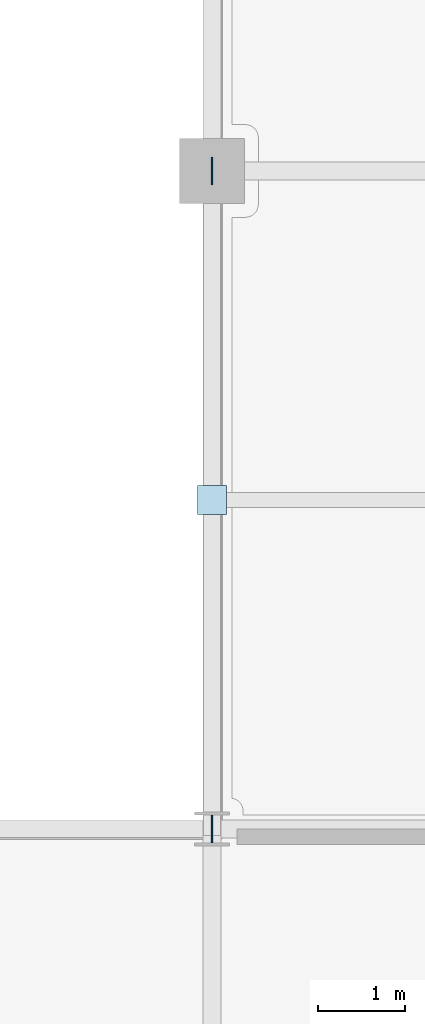
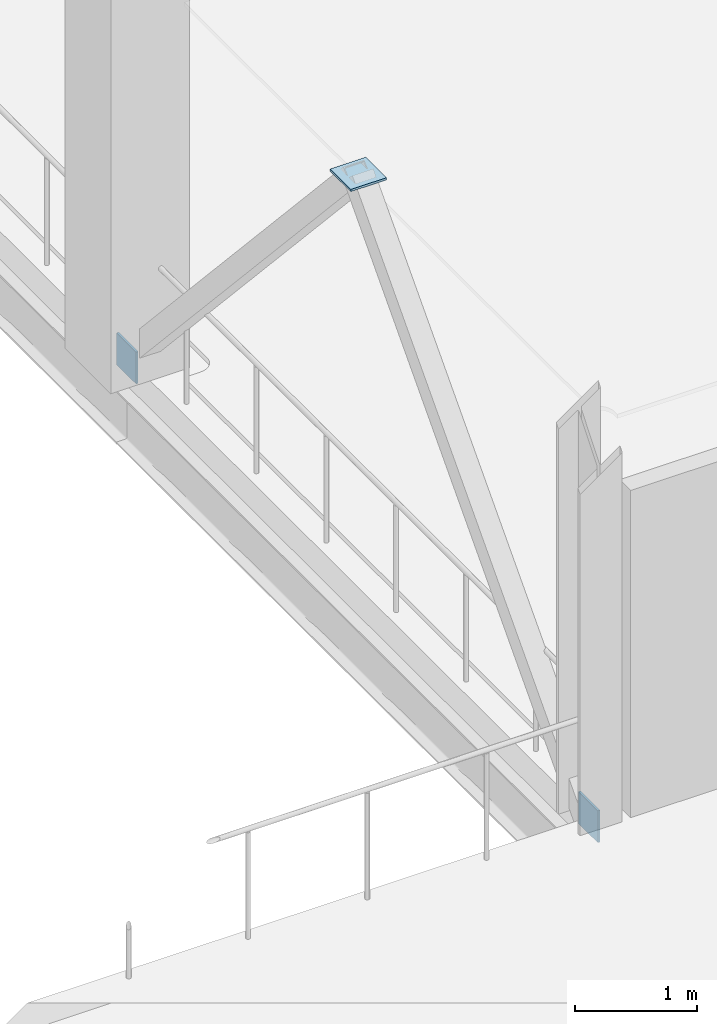
# One storey, part 23 of 51: 3 plates.
"""IFC4 building model written with IfcOpenShell, lengths in metres."""

from ifc_helpers import new_model, si_unit, direction, frame, origin, origin_2d, place, context, subcontext, project, spatial, rectangle, extrude, material, layer, layer_set, type_object, element, save


model = new_model("IFC4")

# Units and contexts
model_context = context("Model", 3, precision=1e-05, world=origin(), true_north=direction((0.0, 1.0)))
body_context = subcontext(model_context, "Body", "Model", "MODEL_VIEW")
ifc_project = project(units=[si_unit("LENGTHUNIT", "METRE"), si_unit("AREAUNIT", "SQUARE_METRE"), si_unit("VOLUMEUNIT", "CUBIC_METRE"), si_unit("PLANEANGLEUNIT", "RADIAN"), si_unit("MASSUNIT", "GRAM", prefix="KILO")], contexts=[model_context])

# Site, building, storey
site_placement = place(None, origin())
site = spatial("IfcSite", under=ifc_project, at=site_placement, CompositionType="ELEMENT")
building_placement = place(site_placement, origin())
building = spatial("IfcBuilding", under=site, at=building_placement, Name="Zuvorla Pavilion Media Centre", CompositionType="ELEMENT")
storey_placement = place(building_placement, frame((0.0, 0.0, 4.800048828125)))
storey = spatial("IfcBuildingStorey", under=building, at=storey_placement, Name="L01", CompositionType="ELEMENT", Elevation=4.800048828125)

# Plates
ifc_material = material(Name="Steel S355", Category="steel")
ifc_layer_1 = layer(ifc_material, 0.02197265625)
ifc_layer_set_1 = layer_set([ifc_layer_1], Name="Steel S355")
plate_type_1 = type_object("IfcPlateType", Name="PLT-CAP-22", PredefinedType="USERDEFINED", material=ifc_layer_set_1)
plate_placement = place(storey_placement, frame((125.60009765625, 93.39990234375, 4.138916015625), z_axis=(0.0, 0.0, 1.0), x_axis=(1.0, 0.0, 0.0)))
element("IfcPlate", 1, at=plate_placement, inside=storey, type_object=plate_type_1, Name="L01 cap plate CP22 166", ObjectType="CAP_PLATE", PredefinedType="USERDEFINED", context=body_context, shape_type="SweptSolid", body=[
    extrude(rectangle(XDim=0.340087890625, YDim=0.340087890625, at=origin_2d()), origin(), (0.0, 0.0, 1.0), 0.02197265625),
])
ifc_layer_2 = layer(ifc_material, 0.02001953125)
ifc_layer_set_2 = layer_set([ifc_layer_2], Name="Steel S355")
plate_type_2 = type_object("IfcPlateType", Name="PLT-GUS-20", PredefinedType="USERDEFINED", material=ifc_layer_set_2)
for number, where, z_axis, x_axis, name in (
    (2, (125.60009765625, 89.60009765625, -0.16015625), (0.0, 0.0, 1.0), (1.0, 0.0, 0.0), "L01 gusset plate GP20 519"),
    (3, (125.60009765625, 97.199951171875, -0.16015625), (0.0, 0.0, 1.0), (1.0, 0.0, 0.0), "L01 gusset plate GP20 520"),
):
    element("IfcPlate", number, at=place(storey_placement, frame(where, z_axis=z_axis, x_axis=x_axis)), inside=storey, type_object=plate_type_2, Name=name, ObjectType="GUSSET_PLATE", PredefinedType="USERDEFINED", context=body_context, shape_type="SweptSolid", body=[
        extrude(rectangle(XDim=0.02001953125, YDim=0.320068359375, at=origin_2d()), origin(), (0.0, 0.0, 1.0), 0.320068359375),
    ])

save(model, "model.ifc")
